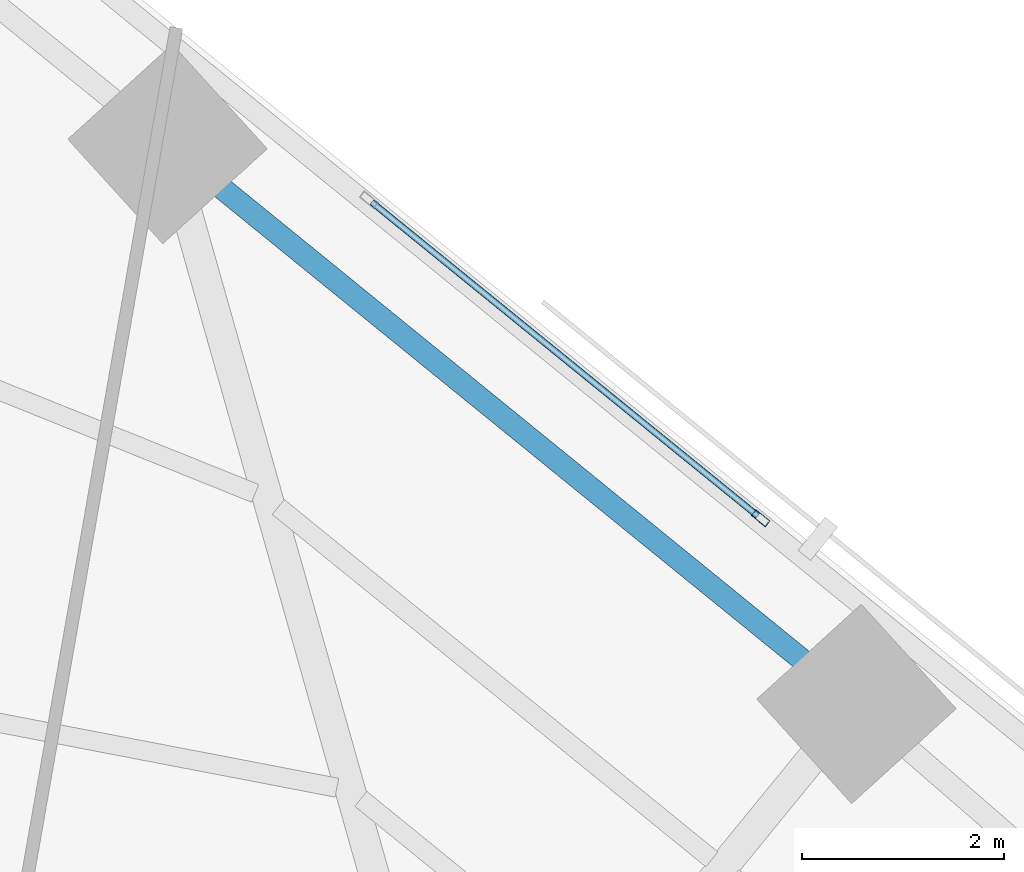
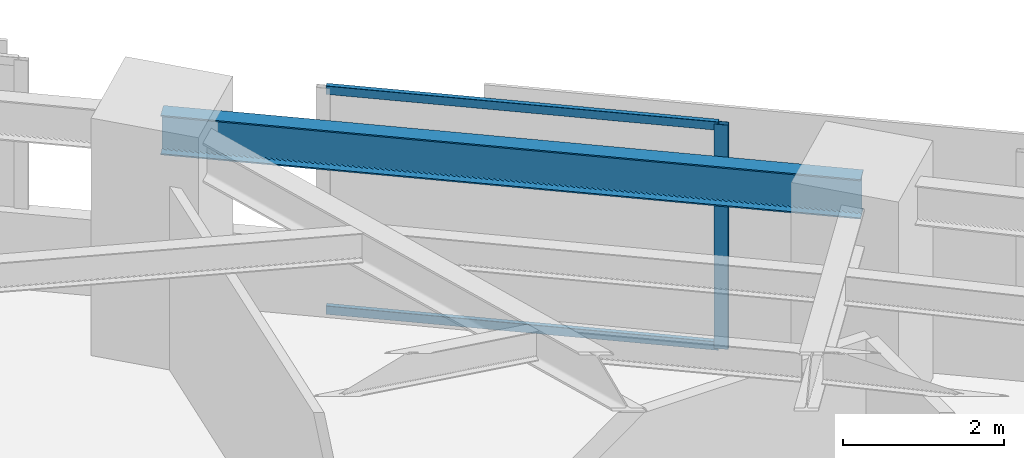
# One storey, part 11 of 17: 3 members, 1 beam, 1 element without a shape of its own.
"""IFC4 building model written with IfcOpenShell, lengths in metres."""

import ifcopenshell
import ifcopenshell.guid

model = None  # the IFC model being written
_history = None  # IfcOwnerHistory: only IFC2X3 demands one
_inside = {}  # id of a spatial element -> (the spatial element, [elements in it])
_under = {}  # id of a project, library or spatial element -> (it, [spatial elements below it])
_declared = {}  # id of a project -> (the project, [libraries it declares])
_typed = {}  # id of a type object -> (the type object, [elements of that type])
_made_of = {}  # id of a material, layer set ... -> (it, [elements and type objects made of it])


def new_model(schema):
    """Start an empty IFC model of exactly this schema.

    Asked for "IFC4X3", IfcOpenShell would pick the latest addendum, in which some entities
    have other attributes; the version numbers below select the first issue.
    IFC2X3 requires an IfcOwnerHistory on every rooted entity: one is made here for all.
    """
    global model, _history
    if schema == "IFC4X3":
        model = ifcopenshell.file(schema_version=(4, 3, 0, 0))
    else:
        model = ifcopenshell.file(schema=schema)
    _inside.clear()
    _under.clear()
    _declared.clear()
    _typed.clear()
    _made_of.clear()
    _history = None
    if model.schema == "IFC2X3":
        org = make("IfcOrganization", Name="unknown")
        user = make(
            "IfcPersonAndOrganization",
            ThePerson=make("IfcPerson", FamilyName="unknown"),
            TheOrganization=org,
        )
        app = make(
            "IfcApplication",
            ApplicationDeveloper=org,
            Version="unknown",
            ApplicationFullName="unknown",
            ApplicationIdentifier="unknown",
        )
        _history = make(
            "IfcOwnerHistory",
            OwningUser=user,
            OwningApplication=app,
            ChangeAction="ADDED",
            CreationDate=0,
        )
    return model


def make(cls, **values):
    """One entity of the class cls with the attributes given. An attribute that is None is left unset."""
    return model.create_entity(
        cls, **{name: value for name, value in values.items() if value is not None}
    )


def rooted(cls, **values):
    """An entity with a GlobalId (a new one), such as an element, a storey or a relation."""
    return make(cls, GlobalId=ifcopenshell.guid.new(), OwnerHistory=_history, **values)


def si_unit(unit_type, name, prefix=None):
    """IfcSIUnit, for example si_unit("LENGTHUNIT", "METRE", prefix="MILLI")."""
    return make("IfcSIUnit", UnitType=unit_type, Prefix=prefix, Name=name)


def assignment(units):
    """IfcUnitAssignment: the units of a project."""
    return None if units is None else make("IfcUnitAssignment", Units=units)


def point(xyz):
    """IfcCartesianPoint."""
    return None if xyz is None else make("IfcCartesianPoint", Coordinates=xyz)


def direction(xyz):
    """IfcDirection."""
    return None if xyz is None else make("IfcDirection", DirectionRatios=xyz)


def frame(location, z_axis=None, x_axis=None):
    """IfcAxis2Placement3D, a coordinate frame: its origin and axes. An axis left out is left unset."""
    return make(
        "IfcAxis2Placement3D",
        Location=point(location),
        Axis=direction(z_axis),
        RefDirection=direction(x_axis),
    )


def frame_2d(location, x_axis=None):
    """IfcAxis2Placement2D, a coordinate frame in the plane: its origin and x axis."""
    return make(
        "IfcAxis2Placement2D", Location=point(location), RefDirection=direction(x_axis)
    )


def origin():
    """The frame at (0, 0, 0) with its axes left unset."""
    return frame((0.0, 0.0, 0.0))


def origin_2d():
    """The frame at (0, 0) in the plane with its x axis left unset."""
    return frame_2d((0.0, 0.0))


def place(relative_to, where):
    """IfcLocalPlacement: puts the frame where relative to a parent placement (None: the world)."""
    return make(
        "IfcLocalPlacement", PlacementRelTo=relative_to, RelativePlacement=where
    )


def context(
    kind, dimensions, precision=None, world=None, true_north=None, identifier=None
):
    """IfcGeometricRepresentationContext, for example the 3D "Model" context."""
    return make(
        "IfcGeometricRepresentationContext",
        ContextIdentifier=identifier,
        ContextType=kind,
        CoordinateSpaceDimension=dimensions,
        Precision=precision,
        WorldCoordinateSystem=world,
        TrueNorth=true_north,
    )


def subcontext(parent, identifier, kind, view, scale=None):
    """IfcGeometricRepresentationSubContext, for example "Body" below "Model"."""
    return make(
        "IfcGeometricRepresentationSubContext",
        ContextIdentifier=identifier,
        ContextType=kind,
        ParentContext=parent,
        TargetScale=scale,
        TargetView=view,
    )


def project(units=None, contexts=None):
    """IfcProject with its units and contexts."""
    return rooted(
        "IfcProject",
        Name="project",
        RepresentationContexts=contexts,
        UnitsInContext=assignment(units),
    )


def spatial(cls, under=None, at=None, **own):
    """A site, building, storey or space (cls), placed at a placement, below another one or the project."""
    s = rooted(cls, ObjectPlacement=at, **own)
    if under is not None:
        _under.setdefault(under.id(), (under, []))[1].append(s)
    return s


def profile(cls, at=None, kind="AREA", **sizes):
    """A parametric profile (cls). Its sizes go by their IFC names, for example OverallWidth=200.0."""
    return make(cls, ProfileType=kind, Position=at, **sizes)


def hollow_rectangle(**sizes):
    """IfcRectangleHollowProfileDef."""
    return profile("IfcRectangleHollowProfileDef", **sizes)


def i_section(**sizes):
    """IfcIShapeProfileDef."""
    return profile("IfcIShapeProfileDef", **sizes)


def extrude(swept, where, along, depth):
    """IfcExtrudedAreaSolid: the profile swept, set in the frame where, extruded along a direction by depth."""
    return make(
        "IfcExtrudedAreaSolid",
        SweptArea=swept,
        Position=where,
        ExtrudedDirection=direction(along),
        Depth=depth,
    )


def shape(context_of_items, identifier, shape_type, items):
    """IfcShapeRepresentation: the items that make up one representation, for example the "Body"."""
    return make(
        "IfcShapeRepresentation",
        ContextOfItems=context_of_items,
        RepresentationIdentifier=identifier,
        RepresentationType=shape_type,
        Items=items,
    )


def material(Name=None, Category=None):
    """IfcMaterial."""
    return make("IfcMaterial", Name=Name, Category=Category)


def material_profile(
    of_material, cross_section, Name=None, Category=None, Priority=None
):
    """IfcMaterialProfile: a cross section and its material."""
    return make(
        "IfcMaterialProfile",
        Name=Name,
        Material=of_material,
        Profile=cross_section,
        Priority=Priority,
        Category=Category,
    )


def profile_set(profiles, Name=None, composite=None):
    """IfcMaterialProfileSet."""
    return make(
        "IfcMaterialProfileSet",
        Name=Name,
        MaterialProfiles=profiles,
        CompositeProfile=composite,
    )


def made_of(thing, what):
    """Note that an element or type object is made of a material, layer set ...; save() writes the relation."""
    if what is not None:
        _made_of.setdefault(what.id(), (what, []))[1].append(thing)
    return thing


def type_object(cls, material=None, **own):
    """A type object (cls), such as IfcWallType, which elements share."""
    return made_of(rooted(cls, **own), material)


def element(
    cls,
    number,
    at=None,
    inside=None,
    cuts=None,
    type_object=None,
    material=None,
    context=None,
    identifier="Body",
    shape_type=None,
    held_by="IfcProductDefinitionShape",
    body=None,
    shapes=None,
    **own,
):
    """One element of the class cls, such as IfcWall. Its Tag is "e" and its number.

    at: its placement. inside: the storey or other place that contains it. cuts: it is an
    opening in that element (IfcRelVoidsElement). A single representation is given by context,
    identifier, shape_type and body (its items); several are given by shapes. held_by: the class
    of the entity that holds the representations. save() writes the other relations.
    """
    e = rooted(cls, Tag="e%d" % number, ObjectPlacement=at, **own)
    if body is not None:
        shapes = [shape(context, identifier, shape_type, body)]
    if shapes is not None:
        e.Representation = make(held_by, Representations=shapes)
    if inside is not None:
        _inside.setdefault(inside.id(), (inside, []))[1].append(e)
    if cuts is not None:
        rooted(
            "IfcRelVoidsElement", RelatingBuildingElement=cuts, RelatedOpeningElement=e
        )
    if type_object is not None:
        _typed.setdefault(type_object.id(), (type_object, []))[1].append(e)
    return made_of(e, material)


def aggregate(whole, parts):
    """IfcRelAggregates: a whole, such as a stair, and the parts it consists of."""
    return rooted("IfcRelAggregates", RelatingObject=whole, RelatedObjects=parts)


def save(model, path):
    """Write the relations noted so far, then the file.

    IfcRelAggregates (storeys below a building ...), IfcRelContainedInSpatialStructure (elements
    in a storey), IfcRelDefinesByType, IfcRelAssociatesMaterial and IfcRelDeclares: one each for
    every whole, place, type object, material and project.
    """
    for whole, parts in _under.values():
        aggregate(whole, parts)
    for where, things in _inside.values():
        rooted(
            "IfcRelContainedInSpatialStructure",
            RelatedElements=things,
            RelatingStructure=where,
        )
    for kind, things in _typed.values():
        rooted("IfcRelDefinesByType", RelatedObjects=things, RelatingType=kind)
    for what, things in _made_of.values():
        rooted("IfcRelAssociatesMaterial", RelatedObjects=things, RelatingMaterial=what)
    for by, libraries in _declared.values():
        rooted("IfcRelDeclares", RelatingContext=by, RelatedDefinitions=libraries)
    model.write(path)


model = new_model("IFC4")

# Units and contexts
model_context = context("Model", 3, precision=1e-05, world=origin(), true_north=direction((0.0, 1.0)))
body_context = subcontext(model_context, "Body", "Model", "MODEL_VIEW")
ifc_project = project(units=[si_unit("LENGTHUNIT", "METRE"), si_unit("AREAUNIT", "SQUARE_METRE"), si_unit("VOLUMEUNIT", "CUBIC_METRE"), si_unit("PLANEANGLEUNIT", "RADIAN"), si_unit("MASSUNIT", "GRAM", prefix="KILO")], contexts=[model_context])

# Site, building, storey
site_placement = place(None, origin())
site = spatial("IfcSite", under=ifc_project, at=site_placement, CompositionType="ELEMENT")
building_placement = place(site_placement, origin())
building = spatial("IfcBuilding", under=site, at=building_placement, Name="Narakoshi Arena Tower", CompositionType="ELEMENT")
storey_placement = place(building_placement, frame((0.0, 0.0, 41.10009765625)))
storey = spatial("IfcBuildingStorey", under=building, at=storey_placement, Name="L10", CompositionType="ELEMENT", Elevation=41.10009765625)

# Beam
ifc_material_1 = material(Name="Structural steel S355J2", Category="steel")
ifc_material_profile_1 = material_profile(ifc_material_1, i_section(OverallWidth=0.219970703125, OverallDepth=0.60009765625, WebThickness=0.011962890625, FlangeThickness=0.01904296875, FilletRadius=0.02392578125, at=origin_2d()), Name="IPE600")
ifc_profile_set_1 = profile_set([ifc_material_profile_1], Name="Structural steel S355J2")
beam_type = type_object("IfcBeamType", Name="BM-EDGE-600", PredefinedType="BEAM", material=ifc_profile_set_1)
beam_placement = place(storey_placement, frame((89.459716796875, 61.28515625, 3.099853515625), z_axis=(-0.776011365227, 0.630718923958, 0.0), x_axis=(-0.630718923958, -0.776011365227, 0.0)))
element("IfcBeam", 1, at=beam_placement, inside=storey, type_object=beam_type, Name="L10 Perimeter Edge Girder 09", PredefinedType="BEAM", context=body_context, shape_type="SweptSolid", body=[
    extrude(i_section(OverallWidth=0.219970703125, OverallDepth=0.60009765625, WebThickness=0.011962890625, FlangeThickness=0.01904296875, FilletRadius=0.02392578125, at=origin_2d()), origin(), (0.0, 0.0, 1.0), 8.804931640625),
])

# Curtain wall, members
ifc_material_2 = material(Name="Anodised bronze aluminium 6063-T6", Category="aluminium")
curtain_wall_type = type_object("IfcCurtainWallType", Name="CW-HYP-LOW", PredefinedType="NOTDEFINED", material=ifc_material_2)
curtain_wall_placement = place(storey_placement, origin())
curtain_wall = element("IfcCurtainWall", 2, at=curtain_wall_placement, inside=storey, type_object=curtain_wall_type, Name="L10 Folded Hypotenuse Curtain Wall 2-2", PredefinedType="NOTDEFINED")
ifc_material_profile_2 = material_profile(ifc_material_2, hollow_rectangle(XDim=0.074951171875, YDim=0.179931640625, WallThickness=0.00390625, OuterFilletRadius=0.0048828125, at=origin_2d()), Name="MUL180x75x4")
ifc_profile_set_2 = profile_set([ifc_material_profile_2], Name="Anodised bronze aluminium 6063-T6")
member_type_1 = type_object("IfcMemberType", Name="MEM-MUL-180", PredefinedType="MULLION", material=ifc_profile_set_2)
member_1_placement = place(storey_placement, frame((88.509521484375, 63.126953125, 0.0), z_axis=(0.0, 0.0, 1.0), x_axis=(-0.630734833051, -0.775998434519, 0.0)))
member_1 = element("IfcMember", 3, at=member_1_placement, type_object=member_type_1, Name="CW-01 mullion 1", PredefinedType="MULLION", context=body_context, shape_type="SweptSolid", body=[
    extrude(hollow_rectangle(XDim=0.074951171875, YDim=0.179931640625, WallThickness=0.00390625, OuterFilletRadius=0.0048828125, at=origin_2d()), origin(), (0.0, 0.0, 1.0), 3.39990234375),
])
ifc_material_profile_3 = material_profile(ifc_material_2, hollow_rectangle(XDim=0.06494140625, YDim=0.1298828125, WallThickness=0.00390625, OuterFilletRadius=0.0048828125, at=origin_2d()), Name="TRN130x65x4")
ifc_profile_set_3 = profile_set([ifc_material_profile_3], Name="Anodised bronze aluminium 6063-T6")
member_type_2 = type_object("IfcMemberType", Name="MEM-TRN-130", PredefinedType="USERDEFINED", material=ifc_profile_set_3)
member_2_placement = place(storey_placement, frame((88.48046875, 63.150634765625, 0.032470703125), z_axis=(-0.776001951686, 0.630730505826, 0.0), x_axis=(-0.630730505826, -0.776001951686, 0.0)))
member_2 = element("IfcMember", 4, at=member_2_placement, type_object=member_type_2, Name="CW-01 transom 1.1", ObjectType="TRANSOM", PredefinedType="USERDEFINED", context=body_context, shape_type="SweptSolid", body=[
    extrude(hollow_rectangle(XDim=0.06494140625, YDim=0.1298828125, WallThickness=0.00390625, OuterFilletRadius=0.0048828125, at=origin_2d()), origin(), (0.0, 0.0, 1.0), 4.9326171875),
])
member_3_placement = place(storey_placement, frame((88.48046875, 63.150634765625, 3.367431640625), z_axis=(-0.776001951686, 0.630730505826, 0.0), x_axis=(-0.630730505826, -0.776001951686, 0.0)))
member_3 = element("IfcMember", 5, at=member_3_placement, type_object=member_type_2, Name="CW-01 transom 1.2", ObjectType="TRANSOM", PredefinedType="USERDEFINED", context=body_context, shape_type="SweptSolid", body=[
    extrude(hollow_rectangle(XDim=0.06494140625, YDim=0.1298828125, WallThickness=0.00390625, OuterFilletRadius=0.0048828125, at=origin_2d()), origin(), (0.0, 0.0, 1.0), 4.9326171875),
])
aggregate(curtain_wall, [member_1, member_2, member_3])

save(model, "model.ifc")
